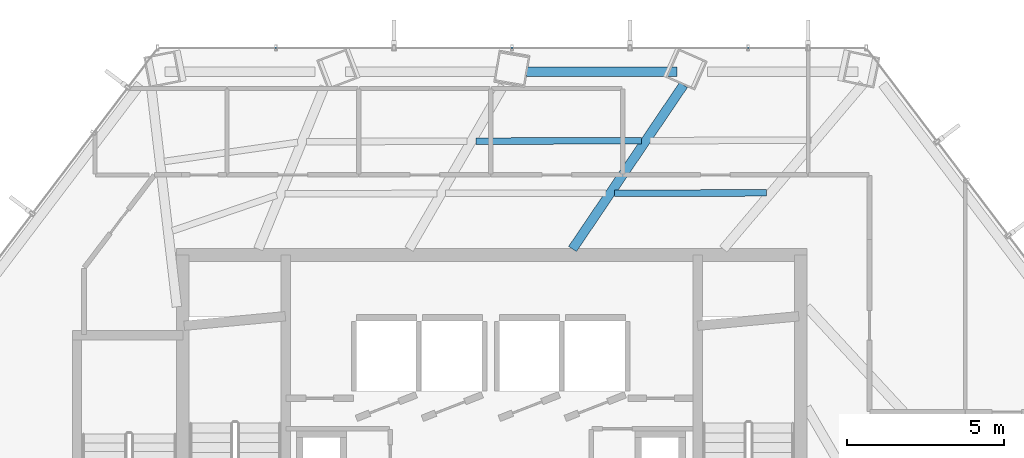
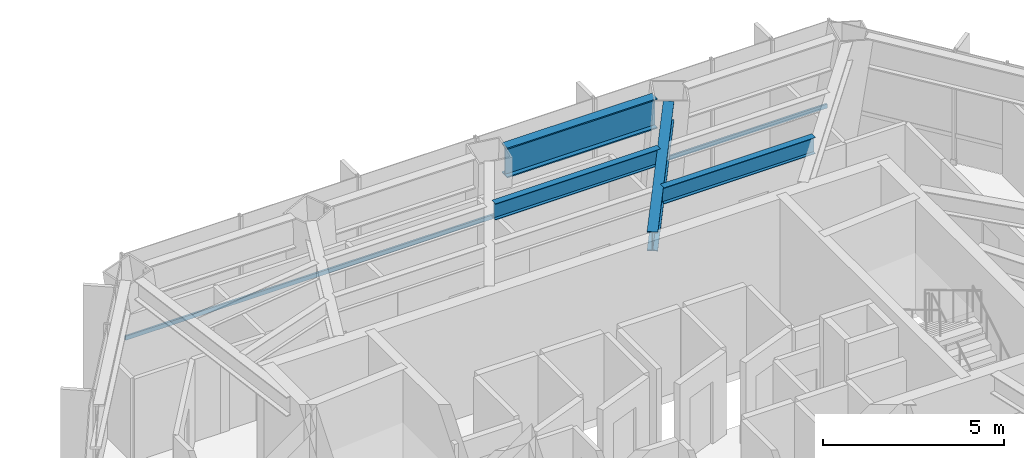
# One storey, part 16 of 27: 4 beams, 1 member, 1 element without a shape of its own.
"""IFC4 building model written with IfcOpenShell, lengths in metres."""

from ifc_helpers import new_model, si_unit, direction, frame, origin, origin_2d, place, context, subcontext, project, spatial, hollow_rectangle, i_section, extrude, material, layer, layer_set, material_profile, profile_set, type_object, element, aggregate, save


model = new_model("IFC4")

# Units and contexts
model_context = context("Model", 3, precision=1e-05, world=origin(), true_north=direction((0.0, 1.0)))
body_context = subcontext(model_context, "Body", "Model", "MODEL_VIEW")
ifc_project = project(units=[si_unit("LENGTHUNIT", "METRE"), si_unit("AREAUNIT", "SQUARE_METRE"), si_unit("VOLUMEUNIT", "CUBIC_METRE"), si_unit("PLANEANGLEUNIT", "RADIAN"), si_unit("MASSUNIT", "GRAM", prefix="KILO")], contexts=[model_context])

# Site, building, storey
site_placement = place(None, origin())
site = spatial("IfcSite", under=ifc_project, at=site_placement, CompositionType="ELEMENT")
building_placement = place(site_placement, origin())
building = spatial("IfcBuilding", under=site, at=building_placement, Name="Zarrinselat Tower", CompositionType="ELEMENT")
storey_placement = place(building_placement, frame((0.0, 0.0, 47.93994140625)))
storey = spatial("IfcBuildingStorey", under=building, at=storey_placement, Name="L11", CompositionType="ELEMENT", Elevation=47.93994140625)

# Beams
ifc_material_1 = material(Name="Steel S355J2", Category="steel")
ifc_material_profile_1 = material_profile(ifc_material_1, i_section(OverallWidth=0.300048828125, OverallDepth=0.64990234375, WebThickness=0.01611328125, FlangeThickness=0.031005859375, at=origin_2d()), Name="HEB 650")
ifc_profile_set_1 = profile_set([ifc_material_profile_1], Name="Steel S355J2")
beam_type_1 = type_object("IfcBeamType", Name="BM-HEB650", PredefinedType="BEAM", material=ifc_profile_set_1)
beam_1_placement = place(storey_placement, frame((41.0, 43.639892578125, 3.4951171875), z_axis=(0.560343745781, 0.82826015633, 0.0), x_axis=(-0.82826015633, 0.560343745781, 0.0)))
element("IfcBeam", 1, at=beam_1_placement, inside=storey, type_object=beam_type_1, Name="L11 Radial Primary Girder RG02", PredefinedType="BEAM", context=body_context, shape_type="SweptSolid", body=[
    extrude(i_section(OverallWidth=0.300048828125, OverallDepth=0.64990234375, WebThickness=0.01611328125, FlangeThickness=0.031005859375, at=origin_2d()), origin(), (0.0, 0.0, 1.0), 6.304931640625),
])
ifc_material_2 = material(Name="Steel S460M", Category="steel")
ifc_material_profile_2 = material_profile(ifc_material_2, i_section(OverallWidth=0.302001953125, OverallDepth=1.008056640625, WebThickness=0.02099609375, FlangeThickness=0.0400390625, at=origin_2d()), Name="HEM 1000")
ifc_profile_set_2 = profile_set([ifc_material_profile_2], Name="Steel S460M")
beam_type_2 = type_object("IfcBeamType", Name="BM-HEM1000", PredefinedType="BEAM", material=ifc_profile_set_2)
beam_2_placement = place(storey_placement, frame((39.542236328125, 49.27783203125, 3.316162109375), z_axis=(1.0, 0.0, 0.0), x_axis=(0.0, 1.0, 0.0)))
element("IfcBeam", 2, at=beam_2_placement, inside=storey, type_object=beam_type_2, Name="L11 Perimeter Spandrel Girder SP02", PredefinedType="BEAM", context=body_context, shape_type="SweptSolid", body=[
    extrude(i_section(OverallWidth=0.302001953125, OverallDepth=1.008056640625, WebThickness=0.02099609375, FlangeThickness=0.0400390625, at=origin_2d()), origin(), (0.0, 0.0, 1.0), 4.7841796875),
])
ifc_material_3 = material(Name="Steel S355J2", Category="steel")
ifc_material_profile_3 = material_profile(ifc_material_3, i_section(OverallWidth=0.2099609375, OverallDepth=0.550048828125, WebThickness=0.010986328125, FlangeThickness=0.01708984375, at=origin_2d()), Name="IPE 550")
ifc_profile_set_3 = profile_set([ifc_material_profile_3], Name="Steel S355J2")
beam_type_3 = type_object("IfcBeamType", Name="BM-IPE550", PredefinedType="JOIST", material=ifc_profile_set_3)
beam_3_placement = place(storey_placement, frame((42.34130859375, 45.415771484375, 3.545166015625), z_axis=(0.999997639447, 0.002172809424, 0.0), x_axis=(-0.002172809424, 0.999997639447, 0.0)))
element("IfcBeam", 3, at=beam_3_placement, inside=storey, type_object=beam_type_3, Name="L11 Composite Floor Joist 7-2", PredefinedType="JOIST", context=body_context, shape_type="SweptSolid", body=[
    extrude(i_section(OverallWidth=0.2099609375, OverallDepth=0.550048828125, WebThickness=0.010986328125, FlangeThickness=0.01708984375, at=origin_2d()), origin(), (0.0, 0.0, 1.0), 4.83154296875),
])
beam_4_placement = place(storey_placement, frame((37.922119140625, 47.07421875, 3.545166015625), z_axis=(0.999997423344, 0.002270089124, 0.0), x_axis=(-0.002270089124, 0.999997423344, 0.0)))
element("IfcBeam", 4, at=beam_4_placement, inside=storey, type_object=beam_type_3, Name="L11 Composite Floor Joist 8-1", PredefinedType="JOIST", context=body_context, shape_type="SweptSolid", body=[
    extrude(i_section(OverallWidth=0.2099609375, OverallDepth=0.550048828125, WebThickness=0.010986328125, FlangeThickness=0.01708984375, at=origin_2d()), origin(), (0.0, 0.0, 1.0), 5.269775390625),
])

# Curtain wall, member
ifc_material_4 = material(Name="Extruded Aluminium Alloy EN AW-6063 T6", Category="aluminium")
ifc_layer = layer(ifc_material_4, 0.18505859375)
ifc_layer_set = layer_set([ifc_layer], Name="Extruded Aluminium Alloy EN AW-6063 T6")
curtain_wall_type = type_object("IfcCurtainWallType", Name="CWS-OFF", PredefinedType="NOTDEFINED", material=ifc_layer_set)
curtain_wall_placement = place(storey_placement, origin())
curtain_wall = element("IfcCurtainWall", 5, at=curtain_wall_placement, inside=storey, type_object=curtain_wall_type, Name="L11 Unitised Curtain Wall CW-L11-E01", PredefinedType="NOTDEFINED")
ifc_material_5 = material(Name="Extruded Aluminium Alloy EN AW-6063 T6", Category="aluminium")
ifc_material_profile_4 = material_profile(ifc_material_5, hollow_rectangle(XDim=0.06005859375, YDim=0.139892578125, WallThickness=0.00390625, at=origin_2d()), Name="RHS 140x60x4")
ifc_profile_set_4 = profile_set([ifc_material_profile_4], Name="Extruded Aluminium Alloy EN AW-6063 T6")
member_type = type_object("IfcMemberType", Name="MEM-CW-TRN", PredefinedType="USERDEFINED", material=ifc_profile_set_4)
member_placement = place(storey_placement, frame((50.259521484375, 50.04443359375, 0.949951171875), z_axis=(-1.0, 0.0, 0.0), x_axis=(0.0, -1.0, 0.0)))
member = element("IfcMember", 6, at=member_placement, type_object=member_type, Name="CW-L11-E01 Transom 1", ObjectType="TRANSOM", PredefinedType="USERDEFINED", context=body_context, shape_type="SweptSolid", body=[
    extrude(hollow_rectangle(XDim=0.06005859375, YDim=0.139892578125, WallThickness=0.00390625, at=origin_2d()), origin(), (0.0, 0.0, 1.0), 22.370361328125),
])
aggregate(curtain_wall, [member])

save(model, "model.ifc")
